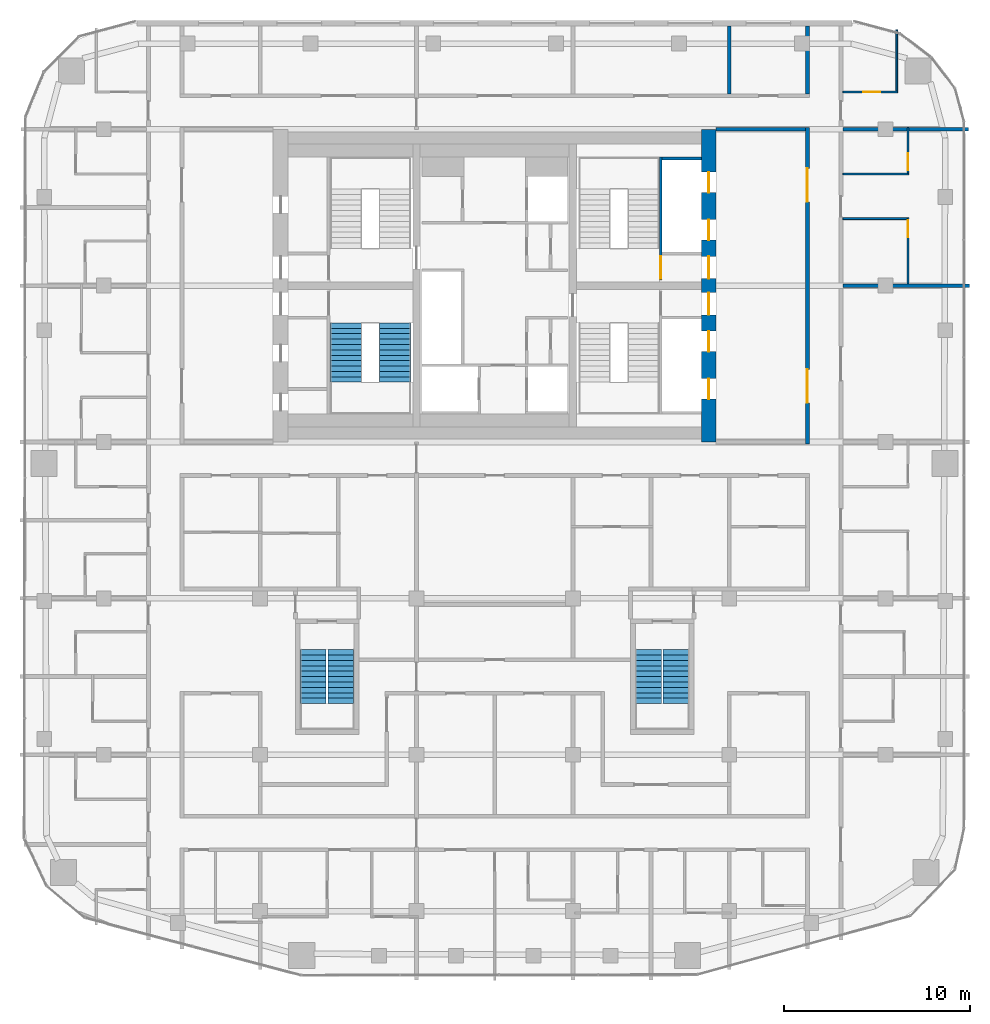
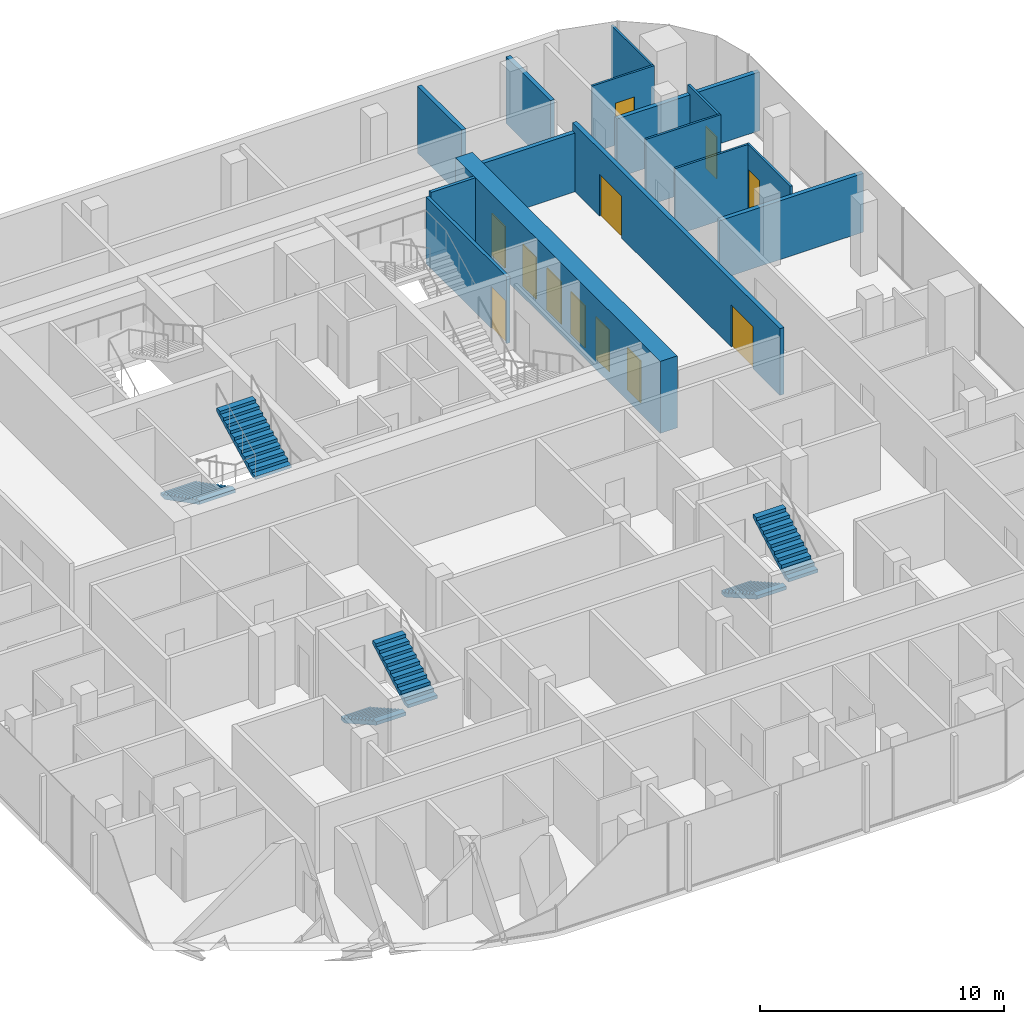
# One storey, part 20 of 22: 15 walls, 12 doors, 6 stair flights, 12 openings, 3 elements without a shape of their own.
"""IFC4 building model written with IfcOpenShell, lengths in metres."""

from ifc_helpers import new_model, si_unit, direction, frame, frame_2d, origin, place, context, subcontext, project, spatial, polyline, rectangle, outline, extrude, material, layer, layer_set, type_object, element, fill, aggregate, save


model = new_model("IFC4")

# Units and contexts
model_context = context("Model", 3, precision=1e-05, world=origin(), true_north=direction((0.0, 1.0)))
body_context = subcontext(model_context, "Body", "Model", "MODEL_VIEW")
ifc_project = project(units=[si_unit("LENGTHUNIT", "METRE"), si_unit("AREAUNIT", "SQUARE_METRE"), si_unit("VOLUMEUNIT", "CUBIC_METRE"), si_unit("PLANEANGLEUNIT", "RADIAN"), si_unit("MASSUNIT", "GRAM", prefix="KILO")], contexts=[model_context])

# Site, building, storey
site_placement = place(None, origin())
site = spatial("IfcSite", under=ifc_project, at=site_placement, CompositionType="ELEMENT")
building_placement = place(site_placement, origin())
building = spatial("IfcBuilding", under=site, at=building_placement, Name="Marenta Gate Hotel Tower", CompositionType="ELEMENT")
storey_placement = place(building_placement, frame((0.0, 0.0, 223.699951171875)))
storey = spatial("IfcBuildingStorey", under=building, at=storey_placement, Name="L52", CompositionType="ELEMENT", Elevation=223.699951171875)

# Wall, openings, doors
ifc_material_1 = material(Name="Concrete blockwork", Category="masonry")
ifc_layer_1 = layer(ifc_material_1, 0.199951171875)
ifc_layer_set_1 = layer_set([ifc_layer_1], Name="Concrete blockwork")
wall_type_1 = type_object("IfcWallType", Name="Core boundary wall 200 REI 180", PredefinedType="PARTITIONING", material=ifc_layer_set_1)
wall_1_placement = place(storey_placement, frame((16.800048828125, -0.10009765625, 0.0), z_axis=(0.0, 0.0, 1.0), x_axis=(0.0, 1.0, 0.0)))
wall_1 = element("IfcWall", 1, at=wall_1_placement, inside=storey, type_object=wall_type_1, Name="L52-CP-BW-E", PredefinedType="PARTITIONING", context=body_context, shape_type="SweptSolid", body=[
    extrude(rectangle(XDim=17.0, YDim=0.199951171875, at=frame_2d((8.5, 0.0))), origin(), (0.0, 0.0, 1.0), 3.340087890625),
])
opening_1_placement = place(wall_1_placement, frame((2.199951171875, 0.0, 0.0)))
opening_1 = element("IfcOpeningElement", 2, at=opening_1_placement, cuts=wall_1, Name="Opening ED-Ea-B", PredefinedType="OPENING", context=body_context, shape_type="SweptSolid", body=[
    extrude(rectangle(XDim=1.800048828125, YDim=2.10009765625, at=frame_2d((0.89990234375, 1.050048828125))), frame((0.0, 0.10009765625, 0.0), z_axis=(0.0, -1.0, 0.0), x_axis=(1.0, 0.0, 0.0)), (0.0, 0.0, 1.0), 0.199951171875),
])
opening_2_placement = place(wall_1_placement, frame((13.0, 0.0, 0.0)))
opening_2 = element("IfcOpeningElement", 3, at=opening_2_placement, cuts=wall_1, Name="Opening ED-Eb-B", PredefinedType="OPENING", context=body_context, shape_type="SweptSolid", body=[
    extrude(rectangle(XDim=1.800048828125, YDim=2.10009765625, at=frame_2d((0.89990234375, 1.050048828125))), frame((0.0, 0.10009765625, 0.0), z_axis=(0.0, -1.0, 0.0), x_axis=(1.0, 0.0, 0.0)), (0.0, 0.0, 1.0), 0.199951171875),
])
ifc_material_2 = material(Name="Steel", Category="steel")
door_type_1 = type_object("IfcDoorType", Name="Core lobby entrance door 1800x2100 EI 60", OperationType="DOUBLE_DOOR_SINGLE_SWING", PredefinedType="DOOR", material=ifc_material_2)
door_1_placement = place(opening_1_placement, origin())
door_1 = element("IfcDoor", 4, at=door_1_placement, inside=storey, type_object=door_type_1, Name="ED-Ea-B", OperationType="DOUBLE_DOOR_SINGLE_SWING", OverallHeight=2.10009765625, OverallWidth=1.800048828125, PredefinedType="DOOR", context=body_context, shape_type="SweptSolid", body=[
    extrude(rectangle(XDim=1.800048828125, YDim=2.10009765625, at=frame_2d((0.89990234375, 1.050048828125))), frame((0.0, 0.02490234375, 0.0), z_axis=(0.0, -1.0, 0.0), x_axis=(1.0, 0.0, 0.0)), (0.0, 0.0, 1.0), 0.050048828125),
])
fill(opening_1, door_1)
door_2_placement = place(opening_2_placement, origin())
door_2 = element("IfcDoor", 5, at=door_2_placement, inside=storey, type_object=door_type_1, Name="ED-Eb-B", OperationType="DOUBLE_DOOR_SINGLE_SWING", OverallHeight=2.10009765625, OverallWidth=1.800048828125, PredefinedType="DOOR", context=body_context, shape_type="SweptSolid", body=[
    extrude(rectangle(XDim=1.800048828125, YDim=2.10009765625, at=frame_2d((0.89990234375, 1.050048828125))), frame((0.0, 0.02490234375, 0.0), z_axis=(0.0, -1.0, 0.0), x_axis=(1.0, 0.0, 0.0)), (0.0, 0.0, 1.0), 0.050048828125),
])
fill(opening_2, door_2)

# Walls
wall_2_placement = place(storey_placement, frame((11.89990234375, 16.800048828125, 0.0), z_axis=(0.0, 0.0, 1.0), x_axis=(1.0, 0.0, 0.0)))
element("IfcWall", 6, at=wall_2_placement, inside=storey, type_object=wall_type_1, Name="L52-CP-EW-EN", PredefinedType="PARTITIONING", context=body_context, shape_type="SweptSolid", body=[
    extrude(rectangle(XDim=4.800048828125, YDim=0.199951171875, at=frame_2d((2.39990234375, 0.0))), origin(), (0.0, 0.0, 1.0), 2.93994140625),
])
ifc_material_3 = material(Name="Concrete C40", Category="concrete")
ifc_layer_2 = layer(ifc_material_3, 0.14990234375)
ifc_layer_set_2 = layer_set([ifc_layer_2], Name="Concrete C40")
wall_type_2 = type_object("IfcWallType", Name="Core shaft wall 150 REI 180", PredefinedType="SHEAR", material=ifc_layer_set_2)
wall_3_placement = place(storey_placement, frame((9.0, 15.22509765625, 0.0), z_axis=(0.0, 0.0, 1.0), x_axis=(1.0, 0.0, 0.0)))
element("IfcWall", 7, at=wall_3_placement, inside=storey, type_object=wall_type_2, Name="L52-SHF-SW-EN-5", PredefinedType="SHEAR", context=body_context, shape_type="SweptSolid", body=[
    extrude(rectangle(XDim=2.10009765625, YDim=0.14990234375, at=frame_2d((1.050048828125, 0.0))), origin(), (0.0, 0.0, 1.0), 3.60009765625),
])

# Wall, opening, door
ifc_material_4 = material(Name="Concrete C40", Category="concrete")
ifc_layer_3 = layer(ifc_material_4, 0.14990234375)
ifc_layer_set_3 = layer_set([ifc_layer_3], Name="Concrete C40")
wall_type_3 = type_object("IfcWallType", Name="Core stair enclosure wall 150 REI 180", PredefinedType="SHEAR", material=ifc_layer_set_3)
wall_4_placement = place(storey_placement, frame((8.925048828125, 8.699951171875, 0.0), z_axis=(0.0, 0.0, 1.0), x_axis=(0.0, 1.0, 0.0)))
wall_4 = element("IfcWall", 8, at=wall_4_placement, inside=storey, type_object=wall_type_3, Name="L52-SHF-SW-EN-3", PredefinedType="SHEAR", context=body_context, shape_type="SweptSolid", body=[
    extrude(rectangle(XDim=6.60009765625, YDim=0.14990234375, at=frame_2d((3.300048828125, 0.0))), origin(), (0.0, 0.0, 1.0), 3.340087890625),
])
opening_3_placement = place(wall_4_placement, frame((0.074951171875, 0.0, 0.0)))
opening_3 = element("IfcOpeningElement", 9, at=opening_3_placement, cuts=wall_4, Name="Opening SD-EN", PredefinedType="OPENING", context=body_context, shape_type="SweptSolid", body=[
    extrude(rectangle(XDim=1.199951171875, YDim=2.10009765625, at=frame_2d((0.60009765625, 1.050048828125))), frame((0.0, 0.074951171875, 0.0), z_axis=(0.0, -1.0, 0.0), x_axis=(1.0, 0.0, 0.0)), (0.0, 0.0, 1.0), 0.14990234375),
])
ifc_material_5 = material(Name="Steel", Category="steel")
door_type_2 = type_object("IfcDoorType", Name="Core stair door 1200x2100 FD60", OperationType="SINGLE_SWING_LEFT", PredefinedType="DOOR", material=ifc_material_5)
door_3_placement = place(opening_3_placement, origin())
door_3 = element("IfcDoor", 10, at=door_3_placement, inside=storey, type_object=door_type_2, Name="SD-EN", OperationType="SINGLE_SWING_LEFT", OverallHeight=2.10009765625, OverallWidth=1.199951171875, PredefinedType="DOOR", context=body_context, shape_type="SweptSolid", body=[
    extrude(rectangle(XDim=1.199951171875, YDim=2.10009765625, at=frame_2d((0.60009765625, 1.050048828125))), frame((0.0, 0.02490234375, 0.0), z_axis=(0.0, -1.0, 0.0), x_axis=(1.0, 0.0, 0.0)), (0.0, 0.0, 1.0), 0.050048828125),
])
fill(opening_3, door_3)

# Wall, openings, doors
ifc_material_6 = material(Name="Concrete C60", Category="concrete")
ifc_layer_4 = layer(ifc_material_6, 0.800048828125)
ifc_layer_set_4 = layer_set([ifc_layer_4], Name="Concrete C60")
wall_type_4 = type_object("IfcWallType", Name="Core wall 800 C60", PredefinedType="SHEAR", material=ifc_layer_set_4)
wall_5_placement = place(storey_placement, frame((11.5, 0.0, 0.0), z_axis=(0.0, 0.0, 1.0), x_axis=(0.0, 1.0, 0.0)))
wall_5 = element("IfcWall", 11, at=wall_5_placement, inside=storey, type_object=wall_type_4, Name="L52-CORE-E", PredefinedType="SHEAR", context=body_context, shape_type="SweptSolid", body=[
    extrude(rectangle(XDim=16.800048828125, YDim=0.800048828125, at=frame_2d((8.39990234375, 0.0))), origin(), (0.0, 0.0, 1.0), 3.60009765625),
])
opening_4_placement = place(wall_5_placement, frame((2.300048828125, 0.0, 0.0)))
opening_4 = element("IfcOpeningElement", 12, at=opening_4_placement, cuts=wall_5, Name="Opening LD-HR1", PredefinedType="OPENING", context=body_context, shape_type="SweptSolid", body=[
    extrude(rectangle(XDim=1.10009765625, YDim=2.10009765625, at=frame_2d((0.550048828125, 1.050048828125))), frame((0.0, 0.39990234375, 0.0), z_axis=(0.0, -1.0, 0.0), x_axis=(1.0, 0.0, 0.0)), (0.0, 0.0, 1.0), 0.800048828125),
])
opening_5_placement = place(wall_5_placement, frame((4.85009765625, 0.0, 0.0)))
opening_5 = element("IfcOpeningElement", 13, at=opening_5_placement, cuts=wall_5, Name="Opening LD-HR2", PredefinedType="OPENING", context=body_context, shape_type="SweptSolid", body=[
    extrude(rectangle(XDim=1.10009765625, YDim=2.10009765625, at=frame_2d((0.550048828125, 1.050048828125))), frame((0.0, 0.39990234375, 0.0), z_axis=(0.0, -1.0, 0.0), x_axis=(1.0, 0.0, 0.0)), (0.0, 0.0, 1.0), 0.800048828125),
])
opening_6_placement = place(wall_5_placement, frame((6.824951171875, 0.0, 0.0)))
opening_6 = element("IfcOpeningElement", 14, at=opening_6_placement, cuts=wall_5, Name="Opening PD-ES", PredefinedType="OPENING", context=body_context, shape_type="SweptSolid", body=[
    extrude(rectangle(XDim=1.199951171875, YDim=2.10009765625, at=frame_2d((0.60009765625, 1.050048828125))), frame((0.0, 0.39990234375, 0.0), z_axis=(0.0, -1.0, 0.0), x_axis=(1.0, 0.0, 0.0)), (0.0, 0.0, 1.0), 0.800048828125),
])
opening_7_placement = place(wall_5_placement, frame((13.39990234375, 0.0, 0.0)))
opening_7 = element("IfcOpeningElement", 15, at=opening_7_placement, cuts=wall_5, Name="Opening LD-HR4", PredefinedType="OPENING", context=body_context, shape_type="SweptSolid", body=[
    extrude(rectangle(XDim=1.10009765625, YDim=2.10009765625, at=frame_2d((0.550048828125, 1.050048828125))), frame((0.0, 0.39990234375, 0.0), z_axis=(0.0, -1.0, 0.0), x_axis=(1.0, 0.0, 0.0)), (0.0, 0.0, 1.0), 0.800048828125),
])
opening_8_placement = place(wall_5_placement, frame((10.85009765625, 0.0, 0.0)))
opening_8 = element("IfcOpeningElement", 16, at=opening_8_placement, cuts=wall_5, Name="Opening LD-HR3", PredefinedType="OPENING", context=body_context, shape_type="SweptSolid", body=[
    extrude(rectangle(XDim=1.10009765625, YDim=2.10009765625, at=frame_2d((0.550048828125, 1.050048828125))), frame((0.0, 0.39990234375, 0.0), z_axis=(0.0, -1.0, 0.0), x_axis=(1.0, 0.0, 0.0)), (0.0, 0.0, 1.0), 0.800048828125),
])
opening_9_placement = place(wall_5_placement, frame((8.77490234375, 0.0, 0.0)))
opening_9 = element("IfcOpeningElement", 17, at=opening_9_placement, cuts=wall_5, Name="Opening PD-EN", PredefinedType="OPENING", context=body_context, shape_type="SweptSolid", body=[
    extrude(rectangle(XDim=1.199951171875, YDim=2.10009765625, at=frame_2d((0.60009765625, 1.050048828125))), frame((0.0, 0.39990234375, 0.0), z_axis=(0.0, -1.0, 0.0), x_axis=(1.0, 0.0, 0.0)), (0.0, 0.0, 1.0), 0.800048828125),
])
ifc_material_7 = material(Name="Steel", Category="steel")
door_type_3 = type_object("IfcDoorType", Name="Core lift landing door 1100x2100 E 60", OperationType="SLIDING_TO_LEFT", PredefinedType="DOOR", material=ifc_material_7)
door_4_placement = place(opening_4_placement, origin())
door_4 = element("IfcDoor", 18, at=door_4_placement, inside=storey, type_object=door_type_3, Name="LD-HR1", OperationType="SLIDING_TO_LEFT", OverallHeight=2.10009765625, OverallWidth=1.10009765625, PredefinedType="DOOR", context=body_context, shape_type="SweptSolid", body=[
    extrude(rectangle(XDim=1.10009765625, YDim=2.10009765625, at=frame_2d((0.550048828125, 1.050048828125))), frame((0.0, 0.02490234375, 0.0), z_axis=(0.0, -1.0, 0.0), x_axis=(1.0, 0.0, 0.0)), (0.0, 0.0, 1.0), 0.050048828125),
])
fill(opening_4, door_4)
door_5_placement = place(opening_5_placement, origin())
door_5 = element("IfcDoor", 19, at=door_5_placement, inside=storey, type_object=door_type_3, Name="LD-HR2", OperationType="SLIDING_TO_LEFT", OverallHeight=2.10009765625, OverallWidth=1.10009765625, PredefinedType="DOOR", context=body_context, shape_type="SweptSolid", body=[
    extrude(rectangle(XDim=1.10009765625, YDim=2.10009765625, at=frame_2d((0.550048828125, 1.050048828125))), frame((0.0, 0.02490234375, 0.0), z_axis=(0.0, -1.0, 0.0), x_axis=(1.0, 0.0, 0.0)), (0.0, 0.0, 1.0), 0.050048828125),
])
fill(opening_5, door_5)
door_6_placement = place(opening_7_placement, origin())
door_6 = element("IfcDoor", 20, at=door_6_placement, inside=storey, type_object=door_type_3, Name="LD-HR4", OperationType="SLIDING_TO_LEFT", OverallHeight=2.10009765625, OverallWidth=1.10009765625, PredefinedType="DOOR", context=body_context, shape_type="SweptSolid", body=[
    extrude(rectangle(XDim=1.10009765625, YDim=2.10009765625, at=frame_2d((0.550048828125, 1.050048828125))), frame((0.0, 0.02490234375, 0.0), z_axis=(0.0, -1.0, 0.0), x_axis=(1.0, 0.0, 0.0)), (0.0, 0.0, 1.0), 0.050048828125),
])
fill(opening_7, door_6)
door_7_placement = place(opening_8_placement, origin())
door_7 = element("IfcDoor", 21, at=door_7_placement, inside=storey, type_object=door_type_3, Name="LD-HR3", OperationType="SLIDING_TO_LEFT", OverallHeight=2.10009765625, OverallWidth=1.10009765625, PredefinedType="DOOR", context=body_context, shape_type="SweptSolid", body=[
    extrude(rectangle(XDim=1.10009765625, YDim=2.10009765625, at=frame_2d((0.550048828125, 1.050048828125))), frame((0.0, 0.02490234375, 0.0), z_axis=(0.0, -1.0, 0.0), x_axis=(1.0, 0.0, 0.0)), (0.0, 0.0, 1.0), 0.050048828125),
])
fill(opening_8, door_7)
ifc_material_8 = material(Name="Steel", Category="steel")
door_type_4 = type_object("IfcDoorType", Name="Core lobby door 1200x2100 FD60", OperationType="SINGLE_SWING_LEFT", PredefinedType="DOOR", material=ifc_material_8)
door_8_placement = place(opening_6_placement, origin())
door_8 = element("IfcDoor", 22, at=door_8_placement, inside=storey, type_object=door_type_4, Name="PD-ES", OperationType="SINGLE_SWING_LEFT", OverallHeight=2.10009765625, OverallWidth=1.199951171875, PredefinedType="DOOR", context=body_context, shape_type="SweptSolid", body=[
    extrude(rectangle(XDim=1.199951171875, YDim=2.10009765625, at=frame_2d((0.60009765625, 1.050048828125))), frame((0.0, 0.02490234375, 0.0), z_axis=(0.0, -1.0, 0.0), x_axis=(1.0, 0.0, 0.0)), (0.0, 0.0, 1.0), 0.050048828125),
])
fill(opening_6, door_8)
door_9_placement = place(opening_9_placement, origin())
door_9 = element("IfcDoor", 23, at=door_9_placement, inside=storey, type_object=door_type_4, Name="PD-EN", OperationType="SINGLE_SWING_LEFT", OverallHeight=2.10009765625, OverallWidth=1.199951171875, PredefinedType="DOOR", context=body_context, shape_type="SweptSolid", body=[
    extrude(rectangle(XDim=1.199951171875, YDim=2.10009765625, at=frame_2d((0.60009765625, 1.050048828125))), frame((0.0, 0.02490234375, 0.0), z_axis=(0.0, -1.0, 0.0), x_axis=(1.0, 0.0, 0.0)), (0.0, 0.0, 1.0), 0.050048828125),
])
fill(opening_9, door_9)

# Wall
ifc_material_9 = material(Name="Gypsum board on steel stud", Category="steel")
ifc_layer_5 = layer(ifc_material_9, 0.199951171875)
ifc_layer_set_5 = layer_set([ifc_layer_5], Name="Gypsum board on steel stud")
wall_type_5 = type_object("IfcWallType", Name="Room corridor wall 200 EI 60", PredefinedType="PARTITIONING", material=ifc_layer_set_5)
wall_6_placement = place(storey_placement, frame((16.800048828125, 18.699951171875, 0.0), z_axis=(0.0, 0.0, 1.0), x_axis=(0.0, 1.0, 0.0)))
element("IfcWall", 24, at=wall_6_placement, inside=storey, type_object=wall_type_5, Name="L52-PTN-W027", PredefinedType="PARTITIONING", context=body_context, shape_type="SweptSolid", body=[
    extrude(rectangle(XDim=3.64013671875, YDim=0.199951171875, at=frame_2d((1.820068359375, 0.0))), origin(), (0.0, 0.0, 1.0), 3.340087890625),
])

# Wall, opening, door
ifc_material_10 = material(Name="Gypsum board on steel stud", Category="steel")
ifc_layer_6 = layer(ifc_material_10, 0.10009765625)
ifc_layer_set_6 = layer_set([ifc_layer_6], Name="Gypsum board on steel stud")
wall_type_6 = type_object("IfcWallType", Name="Room partition 100", PredefinedType="PARTITIONING", material=ifc_layer_set_6)
wall_7_placement = place(storey_placement, frame((22.199951171875, 8.5, 0.0), z_axis=(0.0, 0.0, 1.0), x_axis=(0.0, 1.0, 0.0)))
wall_7 = element("IfcWall", 25, at=wall_7_placement, inside=storey, type_object=wall_type_6, Name="L52-PTN-W012", PredefinedType="PARTITIONING", context=body_context, shape_type="SweptSolid", body=[
    extrude(rectangle(XDim=3.550048828125, YDim=0.10009765625, at=frame_2d((1.77490234375, 0.0))), origin(), (0.0, 0.0, 1.0), 3.340087890625),
])
opening_10_placement = place(wall_7_placement, frame((2.5, 0.0, 0.0)))
opening_10 = element("IfcOpeningElement", 26, at=opening_10_placement, cuts=wall_7, Name="Opening G19-27", PredefinedType="OPENING", context=body_context, shape_type="SweptSolid", body=[
    extrude(rectangle(XDim=0.89990234375, YDim=2.10009765625, at=frame_2d((0.449951171875, 1.050048828125))), frame((0.0, 0.050048828125, 0.0), z_axis=(0.0, -1.0, 0.0), x_axis=(1.0, 0.0, 0.0)), (0.0, 0.0, 1.0), 0.10009765625),
])
ifc_material_11 = material(Name="Timber door leaf", Category="wood")
door_type_5 = type_object("IfcDoorType", Name="Guest bathroom door 900x2100", OperationType="NOTDEFINED", PredefinedType="DOOR", material=ifc_material_11)
door_10_placement = place(opening_10_placement, origin())
door_10 = element("IfcDoor", 27, at=door_10_placement, inside=storey, type_object=door_type_5, Name="L52-PD-D027", OperationType="SINGLE_SWING_RIGHT", OverallHeight=2.10009765625, OverallWidth=0.89990234375, PredefinedType="DOOR", context=body_context, shape_type="SweptSolid", body=[
    extrude(rectangle(XDim=0.89990234375, YDim=2.10009765625, at=frame_2d((0.449951171875, 1.050048828125))), frame((0.0, 0.02490234375, 0.0), z_axis=(0.0, -1.0, 0.0), x_axis=(1.0, 0.0, 0.0)), (0.0, 0.0, 1.0), 0.050048828125),
])
fill(opening_10, door_10)

wall_8_placement = place(storey_placement, frame((22.199951171875, 14.449951171875, 0.0), z_axis=(0.0, 0.0, 1.0), x_axis=(0.0, 1.0, 0.0)))
wall_8 = element("IfcWall", 28, at=wall_8_placement, inside=storey, type_object=wall_type_6, Name="L52-PTN-W013", PredefinedType="PARTITIONING", context=body_context, shape_type="SweptSolid", body=[
    extrude(rectangle(XDim=2.449951171875, YDim=0.10009765625, at=frame_2d((1.22509765625, 0.0))), origin(), (0.0, 0.0, 1.0), 3.340087890625),
])
opening_11_placement = place(wall_8_placement, frame((0.14990234375, 0.0, 0.0)))
opening_11 = element("IfcOpeningElement", 29, at=opening_11_placement, cuts=wall_8, Name="Opening G19-28", PredefinedType="OPENING", context=body_context, shape_type="SweptSolid", body=[
    extrude(rectangle(XDim=0.89990234375, YDim=2.10009765625, at=frame_2d((0.449951171875, 1.050048828125))), frame((0.0, 0.050048828125, 0.0), z_axis=(0.0, -1.0, 0.0), x_axis=(1.0, 0.0, 0.0)), (0.0, 0.0, 1.0), 0.10009765625),
])
ifc_material_12 = material(Name="Timber door leaf", Category="wood")
door_type_6 = type_object("IfcDoorType", Name="Room inner door 900x2100", OperationType="NOTDEFINED", PredefinedType="DOOR", material=ifc_material_12)
door_11_placement = place(opening_11_placement, origin())
door_11 = element("IfcDoor", 30, at=door_11_placement, inside=storey, type_object=door_type_6, Name="L52-PD-D028", OperationType="SINGLE_SWING_LEFT", OverallHeight=2.10009765625, OverallWidth=0.89990234375, PredefinedType="DOOR", context=body_context, shape_type="SweptSolid", body=[
    extrude(rectangle(XDim=0.89990234375, YDim=2.10009765625, at=frame_2d((0.449951171875, 1.050048828125))), frame((0.0, 0.02490234375, 0.0), z_axis=(0.0, -1.0, 0.0), x_axis=(1.0, 0.0, 0.0)), (0.0, 0.0, 1.0), 0.050048828125),
])
fill(opening_11, door_11)

# Walls
wall_9_placement = place(storey_placement, frame((21.60009765625, 18.85009765625, 0.0), z_axis=(0.0, 0.0, 1.0), x_axis=(0.0, 1.0, 0.0)))
element("IfcWall", 31, at=wall_9_placement, inside=storey, type_object=wall_type_6, Name="L52-PTN-W017", PredefinedType="PARTITIONING", context=body_context, shape_type="SweptSolid", body=[
    extrude(rectangle(XDim=3.294921875, YDim=0.10009765625, at=frame_2d((1.6474609375, 0.0))), origin(), (0.0, 0.0, 1.0), 3.340087890625),
])
wall_10_placement = place(storey_placement, frame((18.699951171875, 12.0, 0.0), z_axis=(0.0, 0.0, 1.0), x_axis=(1.0, 0.0, 0.0)))
element("IfcWall", 32, at=wall_10_placement, inside=storey, type_object=wall_type_6, Name="L52-PTN-W094", PredefinedType="PARTITIONING", context=body_context, shape_type="SweptSolid", body=[
    extrude(rectangle(XDim=3.449951171875, YDim=0.10009765625, at=frame_2d((1.72509765625, 0.0))), origin(), (0.0, 0.0, 1.0), 3.340087890625),
])
wall_11_placement = place(storey_placement, frame((18.699951171875, 14.39990234375, 0.0), z_axis=(0.0, 0.0, 1.0), x_axis=(1.0, 0.0, 0.0)))
element("IfcWall", 33, at=wall_11_placement, inside=storey, type_object=wall_type_6, Name="L52-PTN-W102", PredefinedType="PARTITIONING", context=body_context, shape_type="SweptSolid", body=[
    extrude(rectangle(XDim=3.550048828125, YDim=0.10009765625, at=frame_2d((1.77490234375, 0.0))), origin(), (0.0, 0.0, 1.0), 3.340087890625),
])

# Wall, opening, door
wall_12_placement = place(storey_placement, frame((18.699951171875, 18.800048828125, 0.0), z_axis=(0.0, 0.0, 1.0), x_axis=(1.0, 0.0, 0.0)))
wall_12 = element("IfcWall", 34, at=wall_12_placement, inside=storey, type_object=wall_type_6, Name="L52-PTN-W113", PredefinedType="PARTITIONING", context=body_context, shape_type="SweptSolid", body=[
    extrude(rectangle(XDim=2.949951171875, YDim=0.10009765625, at=frame_2d((1.47509765625, 0.0))), origin(), (0.0, 0.0, 1.0), 3.340087890625),
])
opening_12_placement = place(wall_12_placement, frame((1.10009765625, 0.0, 0.0)))
opening_12 = element("IfcOpeningElement", 35, at=opening_12_placement, cuts=wall_12, Name="Opening G19-30", PredefinedType="OPENING", context=body_context, shape_type="SweptSolid", body=[
    extrude(rectangle(XDim=0.89990234375, YDim=2.10009765625, at=frame_2d((0.449951171875, 1.050048828125))), frame((0.0, 0.050048828125, 0.0), z_axis=(0.0, -1.0, 0.0), x_axis=(1.0, 0.0, 0.0)), (0.0, 0.0, 1.0), 0.10009765625),
])
door_12_placement = place(opening_12_placement, origin())
door_12 = element("IfcDoor", 36, at=door_12_placement, inside=storey, type_object=door_type_5, Name="L52-PD-D030", OperationType="SINGLE_SWING_RIGHT", OverallHeight=2.10009765625, OverallWidth=0.89990234375, PredefinedType="DOOR", context=body_context, shape_type="SweptSolid", body=[
    extrude(rectangle(XDim=0.89990234375, YDim=2.10009765625, at=frame_2d((0.449951171875, 1.050048828125))), frame((0.0, 0.02490234375, 0.0), z_axis=(0.0, -1.0, 0.0), x_axis=(1.0, 0.0, 0.0)), (0.0, 0.0, 1.0), 0.050048828125),
])
fill(opening_12, door_12)

# Walls
ifc_material_13 = material(Name="Gypsum board on steel stud", Category="steel")
ifc_layer_7 = layer(ifc_material_13, 0.199951171875)
ifc_layer_set_7 = layer_set([ifc_layer_7], Name="Gypsum board on steel stud")
wall_type_7 = type_object("IfcWallType", Name="Room party wall 200 EI 60", PredefinedType="PARTITIONING", material=ifc_layer_set_7)
wall_13_placement = place(storey_placement, frame((12.60009765625, 18.699951171875, 0.0), z_axis=(0.0, 0.0, 1.0), x_axis=(0.0, 1.0, 0.0)))
element("IfcWall", 37, at=wall_13_placement, inside=storey, type_object=wall_type_7, Name="L52-PTN-W039", PredefinedType="PARTITIONING", context=body_context, shape_type="SweptSolid", body=[
    extrude(rectangle(XDim=3.64013671875, YDim=0.199951171875, at=frame_2d((1.820068359375, 0.0))), origin(), (0.0, 0.0, 1.0), 3.340087890625),
])
wall_14_placement = place(storey_placement, frame((18.699951171875, 8.39990234375, 0.0), z_axis=(0.0, 0.0, 1.0), x_axis=(1.0, 0.0, 0.0)))
element("IfcWall", 38, at=wall_14_placement, inside=storey, type_object=wall_type_7, Name="L52-PTN-W090", PredefinedType="PARTITIONING", context=body_context, shape_type="SweptSolid", body=[
    extrude(rectangle(XDim=6.800048828125, YDim=0.199951171875, at=frame_2d((3.39990234375, 0.0))), origin(), (0.0, 0.0, 1.0), 2.93994140625),
])
wall_15_placement = place(storey_placement, frame((18.699951171875, 16.800048828125, 0.0), z_axis=(0.0, 0.0, 1.0), x_axis=(1.0, 0.0, 0.0)))
element("IfcWall", 39, at=wall_15_placement, inside=storey, type_object=wall_type_7, Name="L52-PTN-W109", PredefinedType="PARTITIONING", context=body_context, shape_type="SweptSolid", body=[
    extrude(rectangle(XDim=6.7470703125, YDim=0.199951171875, at=frame_2d((3.37353515625, 0.0))), origin(), (0.0, 0.0, 1.0), 2.93994140625),
])

# Stair, stair flights
ifc_material_14 = material(Name="Concrete C40", Category="concrete")
stair_type_1 = type_object("IfcStairType", Name="Core exit stair 1700 wide", PredefinedType="HALF_TURN_STAIR", material=ifc_material_14)
stair_1_placement = place(storey_placement, origin())
stair_1 = element("IfcStair", 40, at=stair_1_placement, inside=storey, type_object=stair_type_1, Name="Exit stair 1", PredefinedType="HALF_TURN_STAIR")
ifc_material_15 = material(Name="Concrete C40", Category="concrete")
stair_flight_type_1 = type_object("IfcStairFlightType", Name="Core stair flight 1700 riser 150.0 going 290", PredefinedType="STRAIGHT", material=ifc_material_15)
stair_flight_1_placement = place(storey_placement, frame((-8.0, 6.39990234375, 0.0), z_axis=(0.0, 0.0, 1.0), x_axis=(0.0, -1.0, 0.0)))
stair_flight_1 = element("IfcStairFlight", 41, at=stair_flight_1_placement, type_object=stair_flight_type_1, Name="ST1 flight 1", NumberOfRisers=12, NumberOfTreads=11, PredefinedType="STRAIGHT", RiserHeight=0.15, TreadLength=0.29, context=body_context, shape_type="SweptSolid", body=[
    extrude(outline(polyline([(0.0, 0.0), (0.0, 0.14990234375), (0.2900390625, 0.14990234375), (0.2900390625, 0.300048828125), (0.580078125, 0.300048828125), (0.580078125, 0.449951171875), (0.8701171875, 0.449951171875), (0.8701171875, 0.60009765625), (1.159912109375, 0.60009765625), (1.159912109375, 0.75), (1.449951171875, 0.75), (1.449951171875, 0.89990234375), (1.739990234375, 0.89990234375), (1.739990234375, 1.050048828125), (2.030029296875, 1.050048828125), (2.030029296875, 1.199951171875), (2.320068359375, 1.199951171875), (2.320068359375, 1.35009765625), (2.610107421875, 1.35009765625), (2.610107421875, 1.5), (2.89990234375, 1.5), (2.89990234375, 1.64990234375), (3.18994140625, 1.64990234375), (3.18994140625, 1.800048828125), (3.18994140625, 1.481201171875), (0.326171875, 0.0), (0.0, 0.0)])), frame((0.0, 0.85009765625, 0.0), z_axis=(0.0, -1.0, 0.0), x_axis=(1.0, 0.0, 0.0)), (0.0, 0.0, 1.0), 1.699951171875),
])
stair_flight_2_placement = place(storey_placement, frame((-5.35009765625, 3.2099609375, 1.800048828125), z_axis=(0.0, 0.0, 1.0), x_axis=(0.0, 1.0, 0.0)))
stair_flight_2 = element("IfcStairFlight", 42, at=stair_flight_2_placement, type_object=stair_flight_type_1, Name="ST1 flight 2", NumberOfRisers=12, NumberOfTreads=11, PredefinedType="STRAIGHT", RiserHeight=0.15, TreadLength=0.29, context=body_context, shape_type="SweptSolid", body=[
    extrude(outline(polyline([(0.0, 0.0), (0.0, 0.14990234375), (0.2900390625, 0.14990234375), (0.2900390625, 0.300048828125), (0.580078125, 0.300048828125), (0.580078125, 0.449951171875), (0.8701171875, 0.449951171875), (0.8701171875, 0.60009765625), (1.159912109375, 0.60009765625), (1.159912109375, 0.75), (1.449951171875, 0.75), (1.449951171875, 0.89990234375), (1.739990234375, 0.89990234375), (1.739990234375, 1.050048828125), (2.030029296875, 1.050048828125), (2.030029296875, 1.199951171875), (2.320068359375, 1.199951171875), (2.320068359375, 1.35009765625), (2.610107421875, 1.35009765625), (2.610107421875, 1.5), (2.89990234375, 1.5), (2.89990234375, 1.64990234375), (3.18994140625, 1.64990234375), (3.18994140625, 1.800048828125), (3.18994140625, 1.481201171875), (0.326171875, 0.0), (0.0, 0.0)])), frame((0.0, 0.85009765625, 0.0), z_axis=(0.0, -1.0, 0.0), x_axis=(1.0, 0.0, 0.0)), (0.0, 0.0, 1.0), 1.699951171875),
])
aggregate(stair_1, [stair_flight_1, stair_flight_2])

ifc_material_16 = material(Name="Concrete C40", Category="concrete")
stair_type_2 = type_object("IfcStairType", Name="Remote exit stair 1400 wide", PredefinedType="HALF_TURN_STAIR", material=ifc_material_16)
stair_2_placement = place(storey_placement, origin())
stair_2 = element("IfcStair", 43, at=stair_2_placement, inside=storey, type_object=stair_type_2, Name="Exit stair RS-Z3-1", PredefinedType="HALF_TURN_STAIR")
ifc_material_17 = material(Name="Concrete C40", Category="concrete")
stair_flight_type_2 = type_object("IfcStairFlightType", Name="Remote stair flight 1400 riser 163.6 going 290", PredefinedType="STRAIGHT", material=ifc_material_17)
stair_flight_3_placement = place(storey_placement, frame((-9.75, -11.14990234375, 0.0), z_axis=(0.0, 0.0, 1.0), x_axis=(0.0, -1.0, 0.0)))
stair_flight_3 = element("IfcStairFlight", 44, at=stair_flight_3_placement, type_object=stair_flight_type_2, Name="RS-Z3-1 flight 1", NumberOfRisers=11, NumberOfTreads=10, PredefinedType="STRAIGHT", RiserHeight=0.163636, TreadLength=0.29, context=body_context, shape_type="SweptSolid", body=[
    extrude(outline(polyline([(0.0, 0.0), (0.0, 0.16357421875), (0.2900390625, 0.16357421875), (0.2900390625, 0.327392578125), (0.580078125, 0.327392578125), (0.580078125, 0.490966796875), (0.8701171875, 0.490966796875), (0.8701171875, 0.654541015625), (1.159912109375, 0.654541015625), (1.159912109375, 0.818115234375), (1.449951171875, 0.818115234375), (1.449951171875, 0.98193359375), (1.739990234375, 0.98193359375), (1.739990234375, 1.1455078125), (2.030029296875, 1.1455078125), (2.030029296875, 1.30908203125), (2.320068359375, 1.30908203125), (2.320068359375, 1.47265625), (2.610107421875, 1.47265625), (2.610107421875, 1.636474609375), (2.89990234375, 1.636474609375), (2.89990234375, 1.800048828125), (2.89990234375, 1.46435546875), (0.304931640625, 0.0), (0.0, 0.0)])), frame((0.0, 0.699951171875, 0.0), z_axis=(0.0, -1.0, 0.0), x_axis=(1.0, 0.0, 0.0)), (0.0, 0.0, 1.0), 1.39990234375),
])
stair_flight_4_placement = place(storey_placement, frame((-8.25, -14.050048828125, 1.800048828125), z_axis=(0.0, 0.0, 1.0), x_axis=(0.0, 1.0, 0.0)))
stair_flight_4 = element("IfcStairFlight", 45, at=stair_flight_4_placement, type_object=stair_flight_type_2, Name="RS-Z3-1 flight 2", NumberOfRisers=11, NumberOfTreads=10, PredefinedType="STRAIGHT", RiserHeight=0.163636, TreadLength=0.29, context=body_context, shape_type="SweptSolid", body=[
    extrude(outline(polyline([(0.0, 0.0), (0.0, 0.16357421875), (0.2900390625, 0.16357421875), (0.2900390625, 0.327392578125), (0.580078125, 0.327392578125), (0.580078125, 0.490966796875), (0.8701171875, 0.490966796875), (0.8701171875, 0.654541015625), (1.159912109375, 0.654541015625), (1.159912109375, 0.818115234375), (1.449951171875, 0.818115234375), (1.449951171875, 0.98193359375), (1.739990234375, 0.98193359375), (1.739990234375, 1.1455078125), (2.030029296875, 1.1455078125), (2.030029296875, 1.30908203125), (2.320068359375, 1.30908203125), (2.320068359375, 1.47265625), (2.610107421875, 1.47265625), (2.610107421875, 1.636474609375), (2.89990234375, 1.636474609375), (2.89990234375, 1.800048828125), (2.89990234375, 1.46435546875), (0.304931640625, 0.0), (0.0, 0.0)])), frame((0.0, 0.699951171875, 0.0), z_axis=(0.0, -1.0, 0.0), x_axis=(1.0, 0.0, 0.0)), (0.0, 0.0, 1.0), 1.39990234375),
])
aggregate(stair_2, [stair_flight_3, stair_flight_4])

stair_3_placement = place(storey_placement, origin())
stair_3 = element("IfcStair", 46, at=stair_3_placement, inside=storey, type_object=stair_type_2, Name="Exit stair RS-Z3-2", PredefinedType="HALF_TURN_STAIR")
stair_flight_5_placement = place(storey_placement, frame((8.25, -11.14990234375, 0.0), z_axis=(0.0, 0.0, 1.0), x_axis=(0.0, -1.0, 0.0)))
stair_flight_5 = element("IfcStairFlight", 47, at=stair_flight_5_placement, type_object=stair_flight_type_2, Name="RS-Z3-2 flight 1", NumberOfRisers=11, NumberOfTreads=10, PredefinedType="STRAIGHT", RiserHeight=0.163636, TreadLength=0.29, context=body_context, shape_type="SweptSolid", body=[
    extrude(outline(polyline([(0.0, 0.0), (0.0, 0.16357421875), (0.2900390625, 0.16357421875), (0.2900390625, 0.327392578125), (0.580078125, 0.327392578125), (0.580078125, 0.490966796875), (0.8701171875, 0.490966796875), (0.8701171875, 0.654541015625), (1.159912109375, 0.654541015625), (1.159912109375, 0.818115234375), (1.449951171875, 0.818115234375), (1.449951171875, 0.98193359375), (1.739990234375, 0.98193359375), (1.739990234375, 1.1455078125), (2.030029296875, 1.1455078125), (2.030029296875, 1.30908203125), (2.320068359375, 1.30908203125), (2.320068359375, 1.47265625), (2.610107421875, 1.47265625), (2.610107421875, 1.636474609375), (2.89990234375, 1.636474609375), (2.89990234375, 1.800048828125), (2.89990234375, 1.46435546875), (0.304931640625, 0.0), (0.0, 0.0)])), frame((0.0, 0.699951171875, 0.0), z_axis=(0.0, -1.0, 0.0), x_axis=(1.0, 0.0, 0.0)), (0.0, 0.0, 1.0), 1.39990234375),
])
stair_flight_6_placement = place(storey_placement, frame((9.75, -14.050048828125, 1.800048828125), z_axis=(0.0, 0.0, 1.0), x_axis=(0.0, 1.0, 0.0)))
stair_flight_6 = element("IfcStairFlight", 48, at=stair_flight_6_placement, type_object=stair_flight_type_2, Name="RS-Z3-2 flight 2", NumberOfRisers=11, NumberOfTreads=10, PredefinedType="STRAIGHT", RiserHeight=0.163636, TreadLength=0.29, context=body_context, shape_type="SweptSolid", body=[
    extrude(outline(polyline([(0.0, 0.0), (0.0, 0.16357421875), (0.2900390625, 0.16357421875), (0.2900390625, 0.327392578125), (0.580078125, 0.327392578125), (0.580078125, 0.490966796875), (0.8701171875, 0.490966796875), (0.8701171875, 0.654541015625), (1.159912109375, 0.654541015625), (1.159912109375, 0.818115234375), (1.449951171875, 0.818115234375), (1.449951171875, 0.98193359375), (1.739990234375, 0.98193359375), (1.739990234375, 1.1455078125), (2.030029296875, 1.1455078125), (2.030029296875, 1.30908203125), (2.320068359375, 1.30908203125), (2.320068359375, 1.47265625), (2.610107421875, 1.47265625), (2.610107421875, 1.636474609375), (2.89990234375, 1.636474609375), (2.89990234375, 1.800048828125), (2.89990234375, 1.46435546875), (0.304931640625, 0.0), (0.0, 0.0)])), frame((0.0, 0.699951171875, 0.0), z_axis=(0.0, -1.0, 0.0), x_axis=(1.0, 0.0, 0.0)), (0.0, 0.0, 1.0), 1.39990234375),
])
aggregate(stair_3, [stair_flight_5, stair_flight_6])

save(model, "model.ifc")
